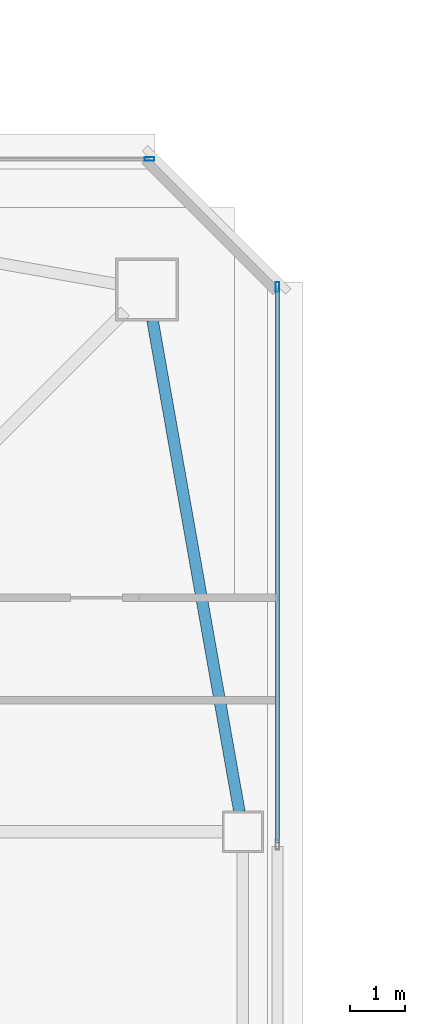
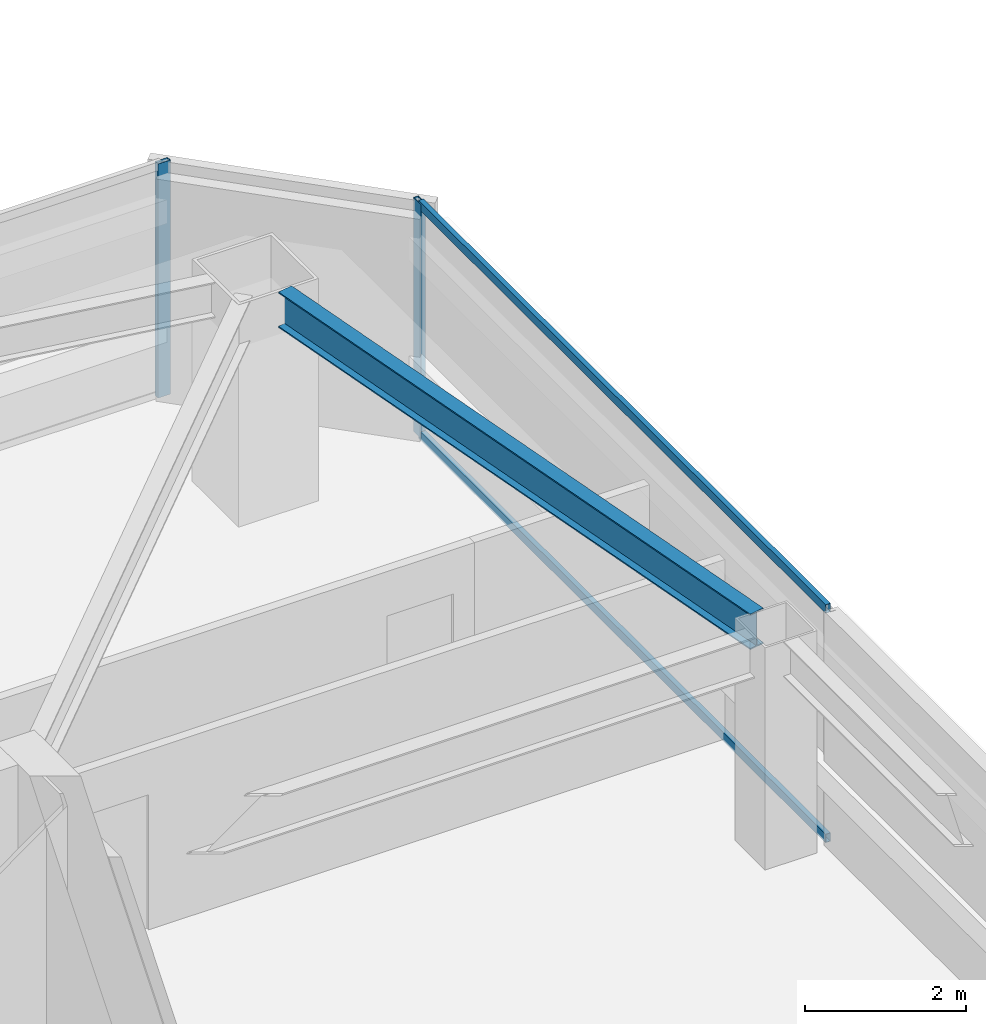
# One storey, part 15 of 41: 4 members, 1 beam, 2 elements without a shape of their own.
"""IFC4 building model written with IfcOpenShell, lengths in metres."""

from ifc_helpers import new_model, si_unit, direction, frame, origin, origin_2d, place, context, subcontext, project, spatial, hollow_rectangle, i_section, extrude, material, material_profile, profile_set, type_object, element, aggregate, save


model = new_model("IFC4")

# Units and contexts
model_context = context("Model", 3, precision=1e-05, world=origin(), true_north=direction((0.0, 1.0)))
body_context = subcontext(model_context, "Body", "Model", "MODEL_VIEW")
ifc_project = project(units=[si_unit("LENGTHUNIT", "METRE"), si_unit("AREAUNIT", "SQUARE_METRE"), si_unit("VOLUMEUNIT", "CUBIC_METRE"), si_unit("PLANEANGLEUNIT", "RADIAN"), si_unit("MASSUNIT", "GRAM", prefix="KILO")], contexts=[model_context])

# Site, building, storey
site_placement = place(None, origin())
site = spatial("IfcSite", under=ifc_project, at=site_placement, CompositionType="ELEMENT")
building_placement = place(site_placement, origin())
building = spatial("IfcBuilding", under=site, at=building_placement, Name="Tashvorn Skyway Center", CompositionType="ELEMENT")
storey_placement = place(building_placement, frame((0.0, 0.0, 192.5)))
storey = spatial("IfcBuildingStorey", under=building, at=storey_placement, Name="L52", CompositionType="ELEMENT", Elevation=192.5)

# Beam
ifc_material_1 = material(Name="Steel ASTM A992 Grade 50", Category="steel")
ifc_material_profile_1 = material_profile(ifc_material_1, i_section(OverallWidth=0.2109375, OverallDepth=0.5390625, WebThickness=0.01171875, FlangeThickness=0.018798828125, at=origin_2d()), Name="W21X73")
ifc_profile_set_1 = profile_set([ifc_material_profile_1], Name="Steel ASTM A992 Grade 50")
beam_type = type_object("IfcBeamType", Name="BM-SPANDREL-W21X73", PredefinedType="SPANDREL", material=ifc_profile_set_1)
beam_placement = place(storey_placement, frame((58.985595703125, 37.764404296875, 3.1005859375), z_axis=(-0.174074160933, 0.984732545667, 0.0), x_axis=(-0.984732545667, -0.174074160933, 0.0)))
element("IfcBeam", 1, at=beam_placement, inside=storey, type_object=beam_type, Name="Tower 1 L52 Spandrel Beam 06", PredefinedType="SPANDREL", context=body_context, shape_type="SweptSolid", body=[
    extrude(i_section(OverallWidth=0.2109375, OverallDepth=0.5390625, WebThickness=0.01171875, FlangeThickness=0.018798828125, at=origin_2d()), origin(), (0.0, 0.0, 1.0), 9.113525390625),
])

# Curtain wall, member
ifc_material_2 = material(Name="Thermally broken bronze-anodized aluminium 6063-T6", Category="aluminium")
curtain_wall_type = type_object("IfcCurtainWallType", Name="CW-CW-Z4", PredefinedType="NOTDEFINED", material=ifc_material_2)
curtain_wall_1_placement = place(storey_placement, origin())
curtain_wall_1 = element("IfcCurtainWall", 2, at=curtain_wall_1_placement, inside=storey, type_object=curtain_wall_type, Name="Tower 1 L52 North Unitised Curtain Wall Glazing Group 2", PredefinedType="NOTDEFINED")
ifc_material_profile_2 = material_profile(ifc_material_2, hollow_rectangle(XDim=0.070068359375, YDim=0.179931640625, WallThickness=0.00390625, at=origin_2d()), Name="ALU-MULL-70x180")
ifc_profile_set_2 = profile_set([ifc_material_profile_2], Name="Thermally broken bronze-anodized aluminium 6063-T6")
member_type_1 = type_object("IfcMemberType", Name="CWM-CW-Z4", PredefinedType="MULLION", material=ifc_profile_set_2)
member_1_placement = place(storey_placement, frame((57.344970703125, 49.679931640625, 0.0), z_axis=(0.0, 0.0, 1.0), x_axis=(0.0, 1.0, 0.0)))
member_1 = element("IfcMember", 3, at=member_1_placement, type_object=member_type_1, Name="CW-Z4 mullion 2", PredefinedType="MULLION", context=body_context, shape_type="SweptSolid", body=[
    extrude(hollow_rectangle(XDim=0.070068359375, YDim=0.179931640625, WallThickness=0.00390625, at=origin_2d()), origin(), (0.0, 0.0, 1.0), 3.550048828125),
])
aggregate(curtain_wall_1, [member_1])

# Curtain wall, members
curtain_wall_2_placement = place(storey_placement, origin())
curtain_wall_2 = element("IfcCurtainWall", 4, at=curtain_wall_2_placement, inside=storey, type_object=curtain_wall_type, Name="Tower 1 L52 East Unitised Curtain Wall Glazing Group 1", PredefinedType="NOTDEFINED")
member_2_placement = place(storey_placement, frame((59.679931640625, 47.344970703125, 0.0), z_axis=(0.0, 0.0, 1.0), x_axis=(1.0, 0.0, 0.0)))
member_2 = element("IfcMember", 5, at=member_2_placement, type_object=member_type_1, Name="CW-Z4 mullion 1", PredefinedType="MULLION", context=body_context, shape_type="SweptSolid", body=[
    extrude(hollow_rectangle(XDim=0.070068359375, YDim=0.179931640625, WallThickness=0.00390625, at=origin_2d()), origin(), (0.0, 0.0, 1.0), 3.550048828125),
])
ifc_material_profile_3 = material_profile(ifc_material_2, hollow_rectangle(XDim=0.070068359375, YDim=0.1298828125, WallThickness=0.00390625, at=origin_2d()), Name="ALU-TRAN-70x130")
ifc_profile_set_3 = profile_set([ifc_material_profile_3], Name="Thermally broken bronze-anodized aluminium 6063-T6")
member_type_2 = type_object("IfcMemberType", Name="CWT-CW-Z4", PredefinedType="USERDEFINED", material=ifc_profile_set_3)
member_3_placement = place(storey_placement, frame((59.679931640625, 47.31005859375, 0.034912109375), z_axis=(0.0, -1.0, 0.0), x_axis=(1.0, 0.0, 0.0)))
member_3 = element("IfcMember", 6, at=member_3_placement, type_object=member_type_2, Name="CW-Z4 transom 1.1", ObjectType="TRANSOM", PredefinedType="USERDEFINED", context=body_context, shape_type="SweptSolid", body=[
    extrude(hollow_rectangle(XDim=0.070068359375, YDim=0.1298828125, WallThickness=0.00390625, at=origin_2d()), origin(), (0.0, 0.0, 1.0), 10.11328125),
])
member_4_placement = place(storey_placement, frame((59.679931640625, 47.31005859375, 3.514892578125), z_axis=(0.0, -1.0, 0.0), x_axis=(1.0, 0.0, 0.0)))
member_4 = element("IfcMember", 7, at=member_4_placement, type_object=member_type_2, Name="CW-Z4 transom 1.2", ObjectType="TRANSOM", PredefinedType="USERDEFINED", context=body_context, shape_type="SweptSolid", body=[
    extrude(hollow_rectangle(XDim=0.070068359375, YDim=0.1298828125, WallThickness=0.00390625, at=origin_2d()), origin(), (0.0, 0.0, 1.0), 10.11328125),
])
aggregate(curtain_wall_2, [member_2, member_3, member_4])

save(model, "model.ifc")
